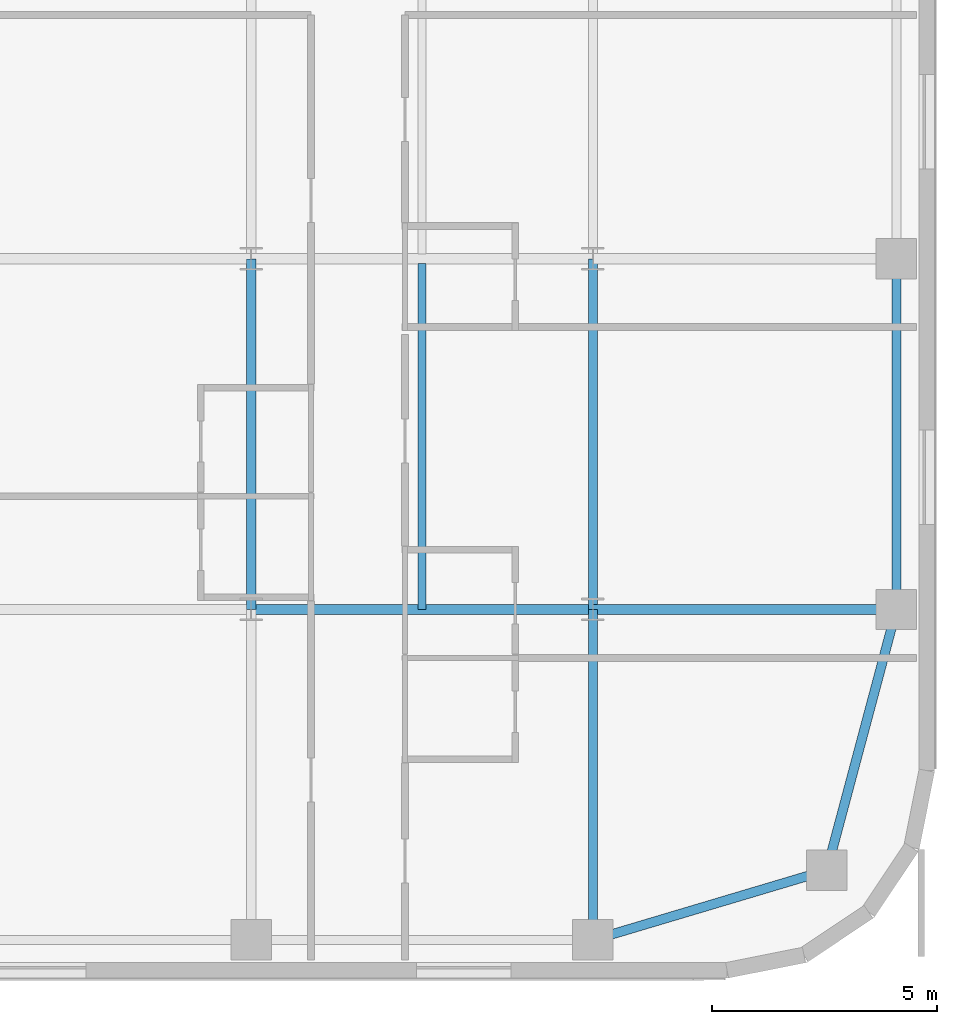
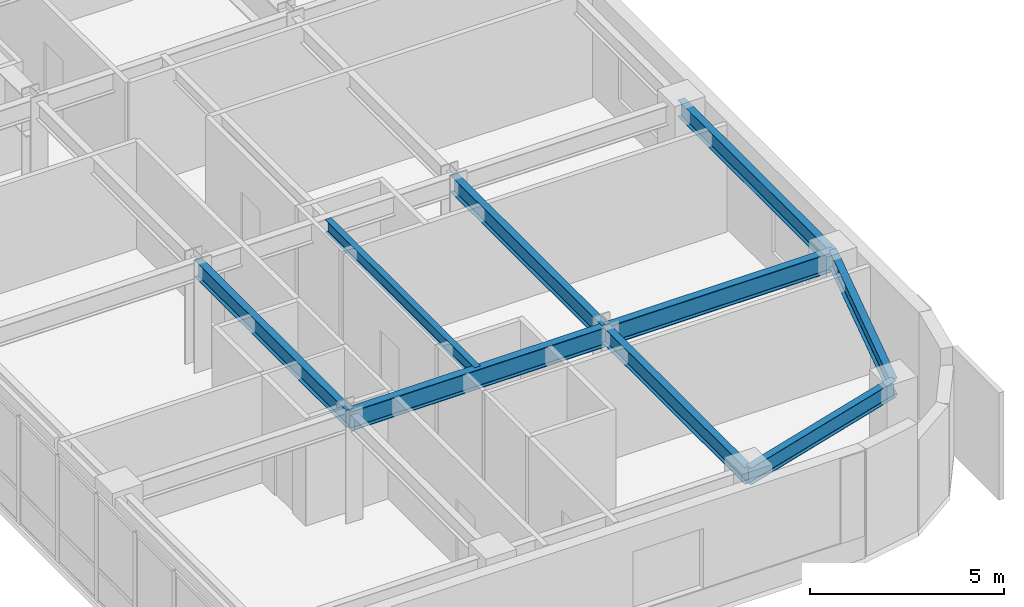
# One storey, part 10 of 24: 9 beams.
"""IFC4 building model written with IfcOpenShell, lengths in metres."""

from ifc_helpers import new_model, si_unit, direction, frame, origin, origin_2d, place, context, subcontext, project, spatial, i_section, extrude, source, transform, mapped, material, material_profile, profile_set, type_object, type_shapes, element, save


model = new_model("IFC4")

# Units and contexts
model_context = context("Model", 3, precision=1e-05, world=origin(), true_north=direction((0.0, 1.0)))
body_context = subcontext(model_context, "Body", "Model", "MODEL_VIEW")
ifc_project = project(units=[si_unit("LENGTHUNIT", "METRE"), si_unit("AREAUNIT", "SQUARE_METRE"), si_unit("VOLUMEUNIT", "CUBIC_METRE"), si_unit("PLANEANGLEUNIT", "RADIAN"), si_unit("MASSUNIT", "GRAM", prefix="KILO")], contexts=[model_context])

# Site, building, storey
site_placement = place(None, origin())
site = spatial("IfcSite", under=ifc_project, at=site_placement, CompositionType="ELEMENT")
building_placement = place(site_placement, origin())
building = spatial("IfcBuilding", under=site, at=building_placement, Name="Tolvann Quenvar Hotel", CompositionType="ELEMENT")
storey_placement = place(building_placement, frame((0.0, 0.0, 139.949951171875)))
storey = spatial("IfcBuildingStorey", under=building, at=storey_placement, Name="L36", CompositionType="ELEMENT", Elevation=139.949951171875)

# Beams
ifc_material = material(Name="Steel Grade 350", Category="steel")
ifc_material_profile_1 = material_profile(ifc_material, i_section(OverallWidth=0.208984375, OverallDepth=0.528076171875, WebThickness=0.009521484375, FlangeThickness=0.01318359375, FilletRadius=0.013916015625, at=origin_2d()), Name="530UB82")
ifc_profile_set_1 = profile_set([ifc_material_profile_1], Name="Steel Grade 350")
beam_type_1 = type_object("IfcBeamType", Name="BM_SPAND_530UB82", PredefinedType="SPANDREL", material=ifc_profile_set_1)
shared_shape_1 = source(origin(), body_context, "Body", "SweptSolid", [
    extrude(i_section(OverallWidth=0.208984375, OverallDepth=0.528076171875, WebThickness=0.009521484375, FlangeThickness=0.01318359375, FilletRadius=0.013916015625, at=origin_2d()), origin(), (0.0, 0.0, 1.0), 5.42626953125),
])
beam_1_placement = place(storey_placement, frame((49.39990234375, 0.85009765625, 3.10595703125), z_axis=(0.958344815522, 0.285613750654, 0.0), x_axis=(-0.285613750654, 0.958344815522, 0.0)))
element("IfcBeam", 1, at=beam_1_placement, inside=storey, type_object=beam_type_1, Name="BM-L36-EW-2-I2-J2", PredefinedType="SPANDREL", context=body_context, shape_type="MappedRepresentation", body=[
    mapped(shared_shape_1, transform((0.0, 0.0, 0.0), x_axis=(1.0, 0.0, 0.0), y_axis=(0.0, 1.0, 0.0), z_axis=(0.0, 0.0, 1.0), scale=1.0)),
])
ifc_material_profile_2 = material_profile(ifc_material, i_section(OverallWidth=0.22900390625, OverallDepth=0.612060546875, WebThickness=0.011962890625, FlangeThickness=0.01953125, FilletRadius=0.013916015625, at=origin_2d()), Name="610UB125")
ifc_profile_set_2 = profile_set([ifc_material_profile_2], Name="Steel Grade 350")
beam_type_2 = type_object("IfcBeamType", Name="BM_GIRD_610UB125", PredefinedType="BEAM", material=ifc_profile_set_2)
shared_shape_2 = source(origin(), body_context, "Body", "SweptSolid", [
    extrude(i_section(OverallWidth=0.22900390625, OverallDepth=0.612060546875, WebThickness=0.011962890625, FlangeThickness=0.01953125, FilletRadius=0.013916015625, at=origin_2d()), origin(), (0.0, 0.0, 1.0), 6.75),
])
beam_2_placement = place(storey_placement, frame((49.39990234375, 8.199951171875, 3.06396484375), z_axis=(1.0, 0.0, 0.0), x_axis=(0.0, 1.0, 0.0)))
element("IfcBeam", 2, at=beam_2_placement, inside=storey, type_object=beam_type_2, Name="BM-L36-EW-3-I3-J3", PredefinedType="BEAM", context=body_context, shape_type="MappedRepresentation", body=[
    mapped(shared_shape_2, transform((0.0, 0.0, 0.0), x_axis=(1.0, 0.0, 0.0), y_axis=(0.0, 1.0, 0.0), z_axis=(0.0, 0.0, 1.0), scale=1.0)),
])
shared_shape_3 = source(origin(), body_context, "Body", "SweptSolid", [
    extrude(i_section(OverallWidth=0.22900390625, OverallDepth=0.612060546875, WebThickness=0.011962890625, FlangeThickness=0.01953125, FilletRadius=0.013916015625, at=origin_2d()), origin(), (0.0, 0.0, 1.0), 7.599853515625),
])
type_shapes(beam_type_2, [shared_shape_2, shared_shape_3])
beam_3_placement = place(storey_placement, frame((41.800048828125, 8.199951171875, 3.06396484375), z_axis=(1.0, 0.0, 0.0), x_axis=(0.0, 1.0, 0.0)))
element("IfcBeam", 3, at=beam_3_placement, inside=storey, type_object=beam_type_2, Name="BM-L36-EW-3-H3-I3", PredefinedType="BEAM", context=body_context, shape_type="MappedRepresentation", body=[
    mapped(shared_shape_3, transform((0.0, 0.0, 0.0), x_axis=(1.0, 0.0, 0.0), y_axis=(0.0, 1.0, 0.0), z_axis=(0.0, 0.0, 1.0), scale=1.0)),
])
shared_shape_4 = source(origin(), body_context, "Body", "SweptSolid", [
    extrude(i_section(OverallWidth=0.208984375, OverallDepth=0.528076171875, WebThickness=0.009521484375, FlangeThickness=0.01318359375, FilletRadius=0.013916015625, at=origin_2d()), origin(), (0.0, 0.0, 1.0), 6.00341796875),
])
beam_4_placement = place(storey_placement, frame((54.60009765625, 2.39990234375, 3.10595703125), z_axis=(0.258148586649, 0.966105225745, 0.0), x_axis=(-0.966105225745, 0.258148586649, 0.0)))
element("IfcBeam", 4, at=beam_4_placement, inside=storey, type_object=beam_type_1, Name="BM-L36-NS-J2-J3", PredefinedType="SPANDREL", context=body_context, shape_type="MappedRepresentation", body=[
    mapped(shared_shape_4, transform((0.0, 0.0, 0.0), x_axis=(1.0, 0.0, 0.0), y_axis=(0.0, 1.0, 0.0), z_axis=(0.0, 0.0, 1.0), scale=1.0)),
])
shared_shape_5 = source(origin(), body_context, "Body", "SweptSolid", [
    extrude(i_section(OverallWidth=0.208984375, OverallDepth=0.528076171875, WebThickness=0.009521484375, FlangeThickness=0.01318359375, FilletRadius=0.013916015625, at=origin_2d()), origin(), (0.0, 0.0, 1.0), 7.800048828125),
])
type_shapes(beam_type_1, [shared_shape_1, shared_shape_4, shared_shape_5])
beam_5_placement = place(storey_placement, frame((56.14990234375, 8.199951171875, 3.10595703125), z_axis=(0.0, 1.0, 0.0), x_axis=(-1.0, 0.0, 0.0)))
element("IfcBeam", 5, at=beam_5_placement, inside=storey, type_object=beam_type_1, Name="BM-L36-NS-J3-J4", PredefinedType="SPANDREL", context=body_context, shape_type="MappedRepresentation", body=[
    mapped(shared_shape_5, transform((0.0, 0.0, 0.0), x_axis=(1.0, 0.0, 0.0), y_axis=(0.0, 1.0, 0.0), z_axis=(0.0, 0.0, 1.0), scale=1.0)),
])
ifc_material_profile_3 = material_profile(ifc_material, i_section(OverallWidth=0.208984375, OverallDepth=0.532958984375, WebThickness=0.01025390625, FlangeThickness=0.015625, FilletRadius=0.013916015625, at=origin_2d()), Name="530UB92")
ifc_profile_set_3 = profile_set([ifc_material_profile_3], Name="Steel Grade 350")
beam_type_3 = type_object("IfcBeamType", Name="BM_GIRD_530UB92", PredefinedType="BEAM", material=ifc_profile_set_3)
shared_shape_6 = source(origin(), body_context, "Body", "SweptSolid", [
    extrude(i_section(OverallWidth=0.208984375, OverallDepth=0.532958984375, WebThickness=0.01025390625, FlangeThickness=0.015625, FilletRadius=0.013916015625, at=origin_2d()), origin(), (0.0, 0.0, 1.0), 7.349853515625),
])
beam_6_placement = place(storey_placement, frame((49.39990234375, 0.85009765625, 3.103515625), z_axis=(0.0, 1.0, 0.0), x_axis=(-1.0, 0.0, 0.0)))
element("IfcBeam", 6, at=beam_6_placement, inside=storey, type_object=beam_type_3, Name="BM-L36-NS-I2-I3", PredefinedType="BEAM", context=body_context, shape_type="MappedRepresentation", body=[
    mapped(shared_shape_6, transform((0.0, 0.0, 0.0), x_axis=(1.0, 0.0, 0.0), y_axis=(0.0, 1.0, 0.0), z_axis=(0.0, 0.0, 1.0), scale=1.0)),
])
shared_shape_7 = source(origin(), body_context, "Body", "SweptSolid", [
    extrude(i_section(OverallWidth=0.208984375, OverallDepth=0.532958984375, WebThickness=0.01025390625, FlangeThickness=0.015625, FilletRadius=0.013916015625, at=origin_2d()), origin(), (0.0, 0.0, 1.0), 7.800048828125),
])
type_shapes(beam_type_3, [shared_shape_6, shared_shape_7])
for number, where, z_axis, x_axis, name in (
    (7, (41.800048828125, 8.199951171875, 3.103515625), (0.0, 1.0, 0.0), (-1.0, 0.0, 0.0), "BM-L36-NS-H3-H4"),
    (8, (49.39990234375, 8.199951171875, 3.103515625), (0.0, 1.0, 0.0), (-1.0, 0.0, 0.0), "BM-L36-NS-I3-I4"),
):
    element("IfcBeam", number, at=place(storey_placement, frame(where, z_axis=z_axis, x_axis=x_axis)), inside=storey, type_object=beam_type_3, Name=name, PredefinedType="BEAM", context=body_context, shape_type="MappedRepresentation", body=[
        mapped(shared_shape_7, transform((0.0, 0.0, 0.0), x_axis=(1.0, 0.0, 0.0), y_axis=(0.0, 1.0, 0.0), z_axis=(0.0, 0.0, 1.0), scale=1.0)),
    ])
ifc_material_profile_4 = material_profile(ifc_material, i_section(OverallWidth=0.177978515625, OverallDepth=0.406005859375, WebThickness=0.0078125, FlangeThickness=0.0126953125, FilletRadius=0.011474609375, at=origin_2d()), Name="410UB60")
ifc_profile_set_4 = profile_set([ifc_material_profile_4], Name="Steel Grade 350")
beam_type_4 = type_object("IfcBeamType", Name="BM_JOIST_410UB60", PredefinedType="JOIST", material=ifc_profile_set_4)
shared_shape_8 = source(origin(), body_context, "Body", "SweptSolid", [
    extrude(i_section(OverallWidth=0.177978515625, OverallDepth=0.406005859375, WebThickness=0.0078125, FlangeThickness=0.0126953125, FilletRadius=0.011474609375, at=origin_2d()), origin(), (0.0, 0.0, 1.0), 7.691650390625),
])
type_shapes(beam_type_4, [shared_shape_8])
beam_7_placement = place(storey_placement, frame((45.60009765625, 8.199951171875, 3.1669921875), z_axis=(0.0, 1.0, 0.0), x_axis=(-1.0, 0.0, 0.0)))
element("IfcBeam", 9, at=beam_7_placement, inside=storey, type_object=beam_type_4, Name="BJ-L36-456-82", PredefinedType="JOIST", context=body_context, shape_type="MappedRepresentation", body=[
    mapped(shared_shape_8, transform((0.0, 0.0, 0.0), x_axis=(1.0, 0.0, 0.0), y_axis=(0.0, 1.0, 0.0), z_axis=(0.0, 0.0, 1.0), scale=1.0)),
])

save(model, "model.ifc")
